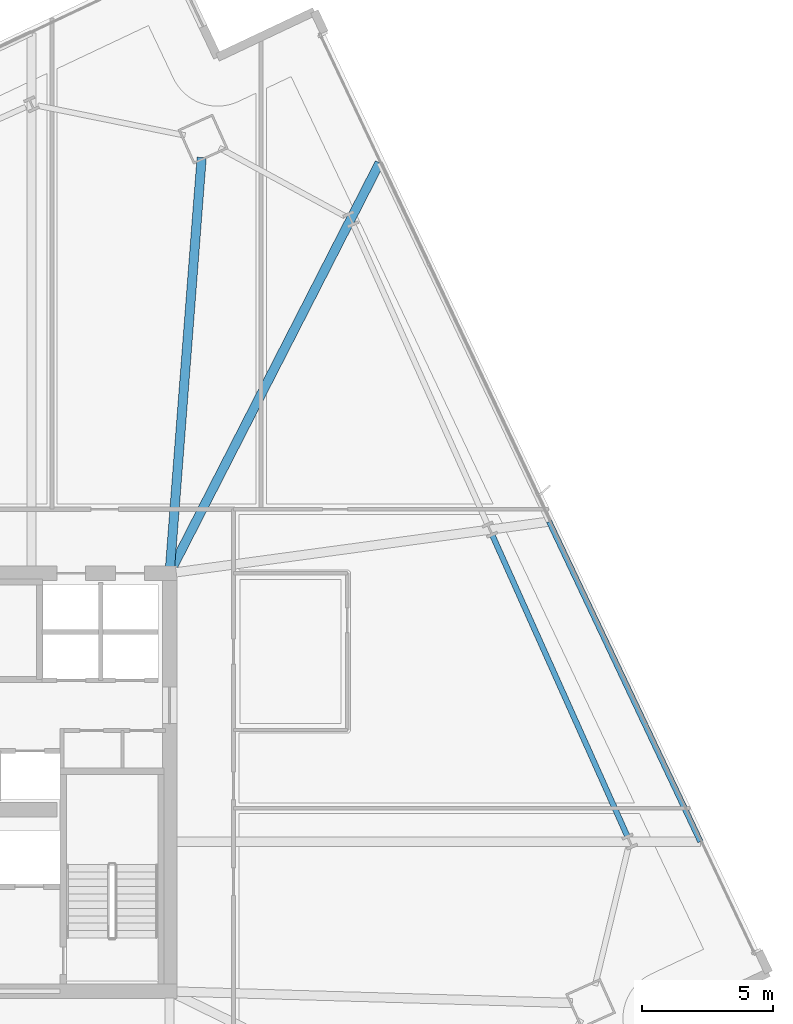
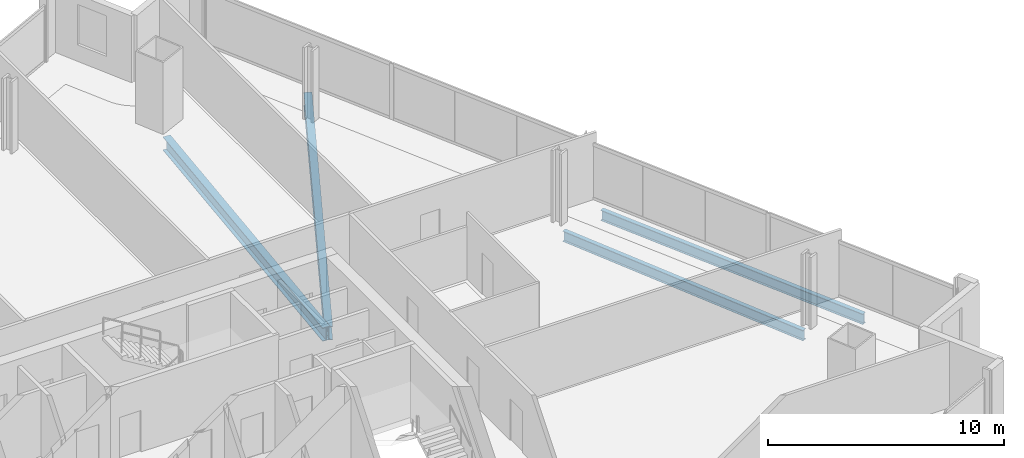
# One storey, part 19 of 34: 4 beams.
"""IFC4 building model written with IfcOpenShell, lengths in metres."""

from ifc_helpers import new_model, si_unit, direction, frame, origin, origin_2d, place, context, subcontext, project, spatial, i_section, extrude, material, material_profile, profile_set, type_object, element, save


model = new_model("IFC4")

# Units and contexts
model_context = context("Model", 3, precision=1e-05, world=origin(), true_north=direction((0.0, 1.0)))
body_context = subcontext(model_context, "Body", "Model", "MODEL_VIEW")
ifc_project = project(units=[si_unit("LENGTHUNIT", "METRE"), si_unit("AREAUNIT", "SQUARE_METRE"), si_unit("VOLUMEUNIT", "CUBIC_METRE"), si_unit("PLANEANGLEUNIT", "RADIAN"), si_unit("MASSUNIT", "GRAM", prefix="KILO")], contexts=[model_context])

# Site, building, storey
site_placement = place(None, origin())
site = spatial("IfcSite", under=ifc_project, at=site_placement, CompositionType="ELEMENT")
building_placement = place(site_placement, origin())
building = spatial("IfcBuilding", under=site, at=building_placement, Name="Haldenkirk Collegiate Tower", CompositionType="ELEMENT")
storey_placement = place(building_placement, frame((0.0, 0.0, 112.949951171875)))
storey = spatial("IfcBuildingStorey", under=building, at=storey_placement, Name="L27", CompositionType="ELEMENT", Elevation=112.949951171875)

# Beams
ifc_material = material(Name="Steel ASTM A992 Grade 50", Category="steel")
ifc_material_profile_1 = material_profile(ifc_material, i_section(OverallWidth=0.35498046875, OverallDepth=0.696044921875, WebThickness=0.015380859375, FlangeThickness=0.02490234375, at=origin_2d()), Name="W27X146")
ifc_profile_set_1 = profile_set([ifc_material_profile_1], Name="Steel ASTM A992 Grade 50")
beam_type_1 = type_object("IfcBeamType", Name="BM-GIRDER-W27X146", PredefinedType="BEAM", material=ifc_profile_set_1)
beam_1_placement = place(storey_placement, frame((46.226806640625, 49.9072265625, -0.64794921875), z_axis=(-0.076898657581, -0.997038914217, 0.0), x_axis=(0.997038914217, -0.076898657581, 0.0)))
element("IfcBeam", 1, at=beam_1_placement, inside=storey, type_object=beam_type_1, Name="L27 primary floor girder 03", PredefinedType="BEAM", context=body_context, shape_type="SweptSolid", body=[
    extrude(i_section(OverallWidth=0.35498046875, OverallDepth=0.696044921875, WebThickness=0.015380859375, FlangeThickness=0.02490234375, at=origin_2d()), origin(), (0.0, 0.0, 1.0), 15.699462890625),
])
beam_2_placement = place(storey_placement, frame((53.034912109375, 49.70166015625, -0.64794921875), z_axis=(-0.455542330615, -0.890214123129, 0.0), x_axis=(0.890214123129, -0.455542330615, 0.0)))
element("IfcBeam", 2, at=beam_2_placement, inside=storey, type_object=beam_type_1, Name="L27 primary floor girder 10", PredefinedType="BEAM", context=body_context, shape_type="SweptSolid", body=[
    extrude(i_section(OverallWidth=0.35498046875, OverallDepth=0.696044921875, WebThickness=0.015380859375, FlangeThickness=0.02490234375, at=origin_2d()), origin(), (0.0, 0.0, 1.0), 17.383056640625),
])
ifc_material_profile_2 = material_profile(ifc_material, i_section(OverallWidth=0.2119140625, OverallDepth=0.5439453125, WebThickness=0.01318359375, FlangeThickness=0.021240234375, at=origin_2d()), Name="W21X83")
ifc_profile_set_2 = profile_set([ifc_material_profile_2], Name="Steel ASTM A992 Grade 50")
beam_type_2 = type_object("IfcBeamType", Name="BM-SPANDREL-W21X83", PredefinedType="SPANDREL", material=ifc_profile_set_2)
beam_3_placement = place(storey_placement, frame((62.50830078125, 23.951416015625, -0.572021484375), z_axis=(-0.409131045523, 0.91247563671, 0.0), x_axis=(-0.91247563671, -0.409131045523, 0.0)))
element("IfcBeam", 3, at=beam_3_placement, inside=storey, type_object=beam_type_2, Name="L27 perimeter spandrel beam 06", PredefinedType="SPANDREL", context=body_context, shape_type="SweptSolid", body=[
    extrude(i_section(OverallWidth=0.2119140625, OverallDepth=0.5439453125, WebThickness=0.01318359375, FlangeThickness=0.021240234375, at=origin_2d()), origin(), (0.0, 0.0, 1.0), 12.593994140625),
])
beam_4_placement = place(storey_placement, frame((65.312744140625, 23.727294921875, -0.572021484375), z_axis=(-0.427346408772, 0.904087964144, 0.0), x_axis=(-0.904087964144, -0.427346408772, 0.0)))
element("IfcBeam", 4, at=beam_4_placement, inside=storey, type_object=beam_type_2, Name="L27 outer facade edge beam 2A", PredefinedType="SPANDREL", context=body_context, shape_type="SweptSolid", body=[
    extrude(i_section(OverallWidth=0.2119140625, OverallDepth=0.5439453125, WebThickness=0.01318359375, FlangeThickness=0.021240234375, at=origin_2d()), origin(), (0.0, 0.0, 1.0), 13.547607421875),
])

save(model, "model.ifc")
